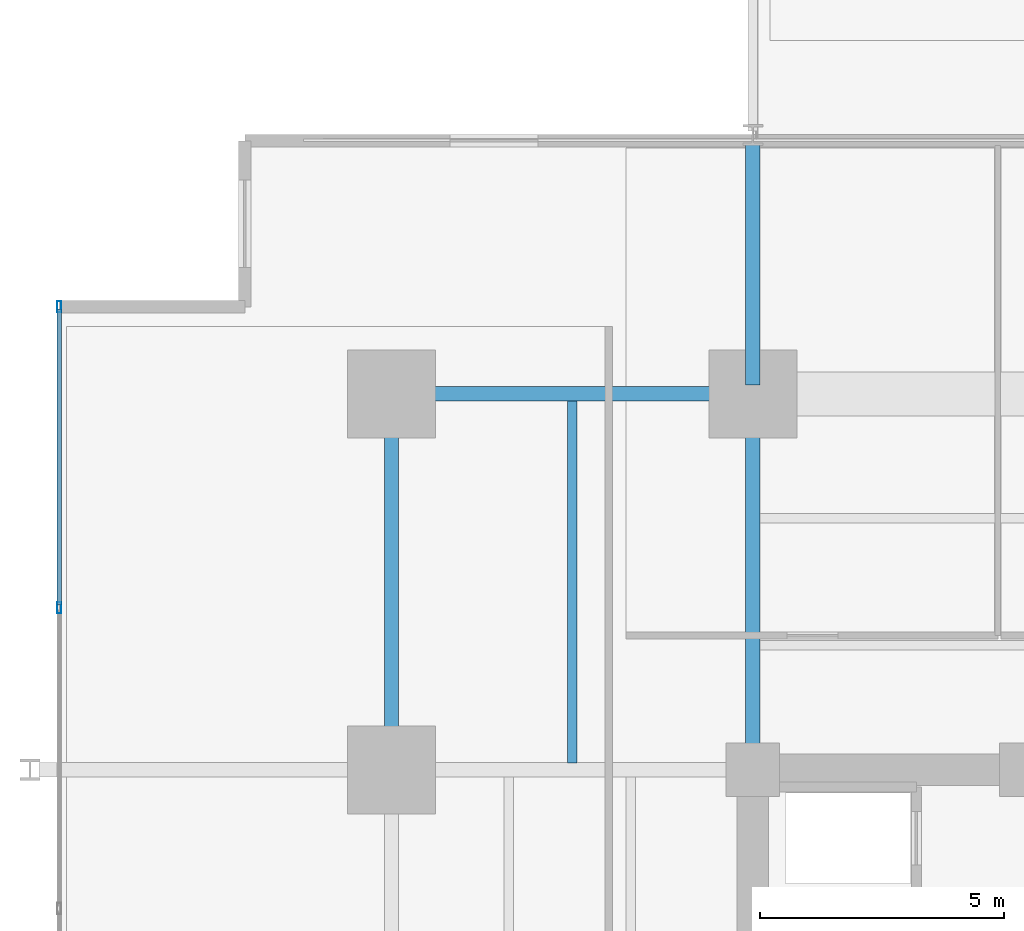
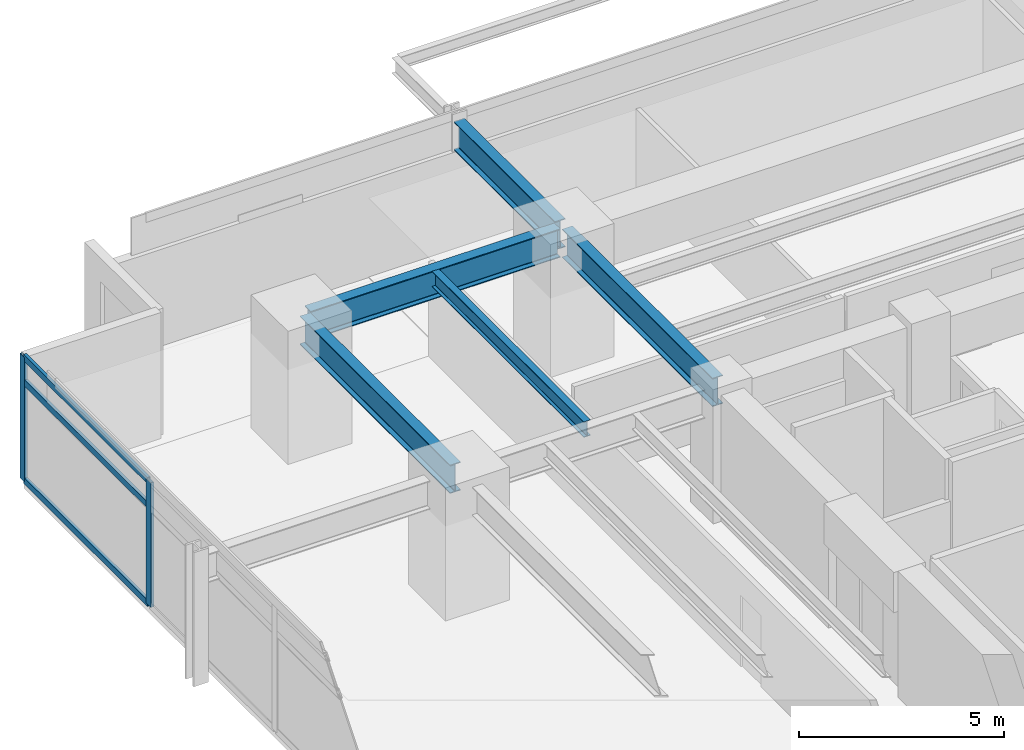
# One storey, part 11 of 20: 5 beams, 5 members, 1 element without a shape of its own.
"""IFC4 building model written with IfcOpenShell, lengths in metres."""

import ifcopenshell
import ifcopenshell.guid

model = None  # the IFC model being written
_history = None  # IfcOwnerHistory: only IFC2X3 demands one
_inside = {}  # id of a spatial element -> (the spatial element, [elements in it])
_under = {}  # id of a project, library or spatial element -> (it, [spatial elements below it])
_declared = {}  # id of a project -> (the project, [libraries it declares])
_typed = {}  # id of a type object -> (the type object, [elements of that type])
_made_of = {}  # id of a material, layer set ... -> (it, [elements and type objects made of it])


def new_model(schema):
    """Start an empty IFC model of exactly this schema.

    Asked for "IFC4X3", IfcOpenShell would pick the latest addendum, in which some entities
    have other attributes; the version numbers below select the first issue.
    IFC2X3 requires an IfcOwnerHistory on every rooted entity: one is made here for all.
    """
    global model, _history
    if schema == "IFC4X3":
        model = ifcopenshell.file(schema_version=(4, 3, 0, 0))
    else:
        model = ifcopenshell.file(schema=schema)
    _inside.clear()
    _under.clear()
    _declared.clear()
    _typed.clear()
    _made_of.clear()
    _history = None
    if model.schema == "IFC2X3":
        org = make("IfcOrganization", Name="unknown")
        user = make(
            "IfcPersonAndOrganization",
            ThePerson=make("IfcPerson", FamilyName="unknown"),
            TheOrganization=org,
        )
        app = make(
            "IfcApplication",
            ApplicationDeveloper=org,
            Version="unknown",
            ApplicationFullName="unknown",
            ApplicationIdentifier="unknown",
        )
        _history = make(
            "IfcOwnerHistory",
            OwningUser=user,
            OwningApplication=app,
            ChangeAction="ADDED",
            CreationDate=0,
        )
    return model


def make(cls, **values):
    """One entity of the class cls with the attributes given. An attribute that is None is left unset."""
    return model.create_entity(
        cls, **{name: value for name, value in values.items() if value is not None}
    )


def rooted(cls, **values):
    """An entity with a GlobalId (a new one), such as an element, a storey or a relation."""
    return make(cls, GlobalId=ifcopenshell.guid.new(), OwnerHistory=_history, **values)


def si_unit(unit_type, name, prefix=None):
    """IfcSIUnit, for example si_unit("LENGTHUNIT", "METRE", prefix="MILLI")."""
    return make("IfcSIUnit", UnitType=unit_type, Prefix=prefix, Name=name)


def assignment(units):
    """IfcUnitAssignment: the units of a project."""
    return None if units is None else make("IfcUnitAssignment", Units=units)


def point(xyz):
    """IfcCartesianPoint."""
    return None if xyz is None else make("IfcCartesianPoint", Coordinates=xyz)


def direction(xyz):
    """IfcDirection."""
    return None if xyz is None else make("IfcDirection", DirectionRatios=xyz)


def frame(location, z_axis=None, x_axis=None):
    """IfcAxis2Placement3D, a coordinate frame: its origin and axes. An axis left out is left unset."""
    return make(
        "IfcAxis2Placement3D",
        Location=point(location),
        Axis=direction(z_axis),
        RefDirection=direction(x_axis),
    )


def frame_2d(location, x_axis=None):
    """IfcAxis2Placement2D, a coordinate frame in the plane: its origin and x axis."""
    return make(
        "IfcAxis2Placement2D", Location=point(location), RefDirection=direction(x_axis)
    )


def origin():
    """The frame at (0, 0, 0) with its axes left unset."""
    return frame((0.0, 0.0, 0.0))


def origin_2d():
    """The frame at (0, 0) in the plane with its x axis left unset."""
    return frame_2d((0.0, 0.0))


def place(relative_to, where):
    """IfcLocalPlacement: puts the frame where relative to a parent placement (None: the world)."""
    return make(
        "IfcLocalPlacement", PlacementRelTo=relative_to, RelativePlacement=where
    )


def context(
    kind, dimensions, precision=None, world=None, true_north=None, identifier=None
):
    """IfcGeometricRepresentationContext, for example the 3D "Model" context."""
    return make(
        "IfcGeometricRepresentationContext",
        ContextIdentifier=identifier,
        ContextType=kind,
        CoordinateSpaceDimension=dimensions,
        Precision=precision,
        WorldCoordinateSystem=world,
        TrueNorth=true_north,
    )


def subcontext(parent, identifier, kind, view, scale=None):
    """IfcGeometricRepresentationSubContext, for example "Body" below "Model"."""
    return make(
        "IfcGeometricRepresentationSubContext",
        ContextIdentifier=identifier,
        ContextType=kind,
        ParentContext=parent,
        TargetScale=scale,
        TargetView=view,
    )


def project(units=None, contexts=None):
    """IfcProject with its units and contexts."""
    return rooted(
        "IfcProject",
        Name="project",
        RepresentationContexts=contexts,
        UnitsInContext=assignment(units),
    )


def spatial(cls, under=None, at=None, **own):
    """A site, building, storey or space (cls), placed at a placement, below another one or the project."""
    s = rooted(cls, ObjectPlacement=at, **own)
    if under is not None:
        _under.setdefault(under.id(), (under, []))[1].append(s)
    return s


def profile(cls, at=None, kind="AREA", **sizes):
    """A parametric profile (cls). Its sizes go by their IFC names, for example OverallWidth=200.0."""
    return make(cls, ProfileType=kind, Position=at, **sizes)


def hollow_rectangle(**sizes):
    """IfcRectangleHollowProfileDef."""
    return profile("IfcRectangleHollowProfileDef", **sizes)


def i_section(**sizes):
    """IfcIShapeProfileDef."""
    return profile("IfcIShapeProfileDef", **sizes)


def extrude(swept, where, along, depth):
    """IfcExtrudedAreaSolid: the profile swept, set in the frame where, extruded along a direction by depth."""
    return make(
        "IfcExtrudedAreaSolid",
        SweptArea=swept,
        Position=where,
        ExtrudedDirection=direction(along),
        Depth=depth,
    )


def shape(context_of_items, identifier, shape_type, items):
    """IfcShapeRepresentation: the items that make up one representation, for example the "Body"."""
    return make(
        "IfcShapeRepresentation",
        ContextOfItems=context_of_items,
        RepresentationIdentifier=identifier,
        RepresentationType=shape_type,
        Items=items,
    )


def material(Name=None, Category=None):
    """IfcMaterial."""
    return make("IfcMaterial", Name=Name, Category=Category)


def material_profile(
    of_material, cross_section, Name=None, Category=None, Priority=None
):
    """IfcMaterialProfile: a cross section and its material."""
    return make(
        "IfcMaterialProfile",
        Name=Name,
        Material=of_material,
        Profile=cross_section,
        Priority=Priority,
        Category=Category,
    )


def profile_set(profiles, Name=None, composite=None):
    """IfcMaterialProfileSet."""
    return make(
        "IfcMaterialProfileSet",
        Name=Name,
        MaterialProfiles=profiles,
        CompositeProfile=composite,
    )


def made_of(thing, what):
    """Note that an element or type object is made of a material, layer set ...; save() writes the relation."""
    if what is not None:
        _made_of.setdefault(what.id(), (what, []))[1].append(thing)
    return thing


def type_object(cls, material=None, **own):
    """A type object (cls), such as IfcWallType, which elements share."""
    return made_of(rooted(cls, **own), material)


def element(
    cls,
    number,
    at=None,
    inside=None,
    cuts=None,
    type_object=None,
    material=None,
    context=None,
    identifier="Body",
    shape_type=None,
    held_by="IfcProductDefinitionShape",
    body=None,
    shapes=None,
    **own,
):
    """One element of the class cls, such as IfcWall. Its Tag is "e" and its number.

    at: its placement. inside: the storey or other place that contains it. cuts: it is an
    opening in that element (IfcRelVoidsElement). A single representation is given by context,
    identifier, shape_type and body (its items); several are given by shapes. held_by: the class
    of the entity that holds the representations. save() writes the other relations.
    """
    e = rooted(cls, Tag="e%d" % number, ObjectPlacement=at, **own)
    if body is not None:
        shapes = [shape(context, identifier, shape_type, body)]
    if shapes is not None:
        e.Representation = make(held_by, Representations=shapes)
    if inside is not None:
        _inside.setdefault(inside.id(), (inside, []))[1].append(e)
    if cuts is not None:
        rooted(
            "IfcRelVoidsElement", RelatingBuildingElement=cuts, RelatedOpeningElement=e
        )
    if type_object is not None:
        _typed.setdefault(type_object.id(), (type_object, []))[1].append(e)
    return made_of(e, material)


def aggregate(whole, parts):
    """IfcRelAggregates: a whole, such as a stair, and the parts it consists of."""
    return rooted("IfcRelAggregates", RelatingObject=whole, RelatedObjects=parts)


def save(model, path):
    """Write the relations noted so far, then the file.

    IfcRelAggregates (storeys below a building ...), IfcRelContainedInSpatialStructure (elements
    in a storey), IfcRelDefinesByType, IfcRelAssociatesMaterial and IfcRelDeclares: one each for
    every whole, place, type object, material and project.
    """
    for whole, parts in _under.values():
        aggregate(whole, parts)
    for where, things in _inside.values():
        rooted(
            "IfcRelContainedInSpatialStructure",
            RelatedElements=things,
            RelatingStructure=where,
        )
    for kind, things in _typed.values():
        rooted("IfcRelDefinesByType", RelatedObjects=things, RelatingType=kind)
    for what, things in _made_of.values():
        rooted("IfcRelAssociatesMaterial", RelatedObjects=things, RelatingMaterial=what)
    for by, libraries in _declared.values():
        rooted("IfcRelDeclares", RelatingContext=by, RelatedDefinitions=libraries)
    model.write(path)


model = new_model("IFC4")

# Units and contexts
model_context = context("Model", 3, precision=1e-05, world=origin(), true_north=direction((0.0, 1.0)))
body_context = subcontext(model_context, "Body", "Model", "MODEL_VIEW")
ifc_project = project(units=[si_unit("LENGTHUNIT", "METRE"), si_unit("AREAUNIT", "SQUARE_METRE"), si_unit("VOLUMEUNIT", "CUBIC_METRE"), si_unit("PLANEANGLEUNIT", "RADIAN"), si_unit("MASSUNIT", "GRAM", prefix="KILO")], contexts=[model_context])

# Site, building, storey
site_placement = place(None, origin())
site = spatial("IfcSite", under=ifc_project, at=site_placement, CompositionType="ELEMENT")
building_placement = place(site_placement, origin())
building = spatial("IfcBuilding", under=site, at=building_placement, Name="Kovane Verandah Tower", CompositionType="ELEMENT")
storey_placement = place(building_placement, frame((0.0, 0.0, 39.60009765625)))
storey = spatial("IfcBuildingStorey", under=building, at=storey_placement, Name="L08", CompositionType="ELEMENT", Elevation=39.60009765625)

# Beams
ifc_material_1 = material(Name="Steel S355", Category="steel")
ifc_material_profile_1 = material_profile(ifc_material_1, i_section(OverallWidth=0.293701171875, OverallDepth=0.850830078125, WebThickness=0.01611328125, FlangeThickness=0.02685546875, FilletRadius=0.017822265625, at=origin_2d()), Name="UB838x292x226")
ifc_profile_set_1 = profile_set([ifc_material_profile_1], Name="Steel S355")
beam_type_1 = type_object("IfcBeamType", Name="BM-UB838x226", PredefinedType="BEAM", material=ifc_profile_set_1)
beam_1_placement = place(storey_placement, frame((21.780029296875, 44.199951171875, 3.33447265625), z_axis=(1.0, 0.0, 0.0), x_axis=(0.0, 1.0, 0.0)))
element("IfcBeam", 1, at=beam_1_placement, inside=storey, type_object=beam_type_1, Name="L08 Primary Tower Girder G-RN1", PredefinedType="BEAM", context=body_context, shape_type="SweptSolid", body=[
    extrude(i_section(OverallWidth=0.293701171875, OverallDepth=0.850830078125, WebThickness=0.01611328125, FlangeThickness=0.02685546875, FilletRadius=0.017822265625, at=origin_2d()), origin(), (0.0, 0.0, 1.0), 7.0400390625),
])
for number, where, z_axis, x_axis, name in (
    (2, (21.60009765625, 36.679931640625, 3.33447265625), (0.0, 1.0, 0.0), (-1.0, 0.0, 0.0), "L08 Primary Tower Girder G-RW3"),
    (3, (29.0, 36.679931640625, 3.33447265625), (0.0, 1.0, 0.0), (-1.0, 0.0, 0.0), "L08 Primary Tower Girder G-N1"),
):
    element("IfcBeam", number, at=place(storey_placement, frame(where, z_axis=z_axis, x_axis=x_axis)), inside=storey, type_object=beam_type_1, Name=name, PredefinedType="BEAM", context=body_context, shape_type="SweptSolid", body=[
        extrude(i_section(OverallWidth=0.293701171875, OverallDepth=0.850830078125, WebThickness=0.01611328125, FlangeThickness=0.02685546875, FilletRadius=0.017822265625, at=origin_2d()), origin(), (0.0, 0.0, 1.0), 7.340087890625),
    ])
beam_2_placement = place(storey_placement, frame((29.0, 44.3798828125, 3.33447265625), z_axis=(0.0, 1.0, 0.0), x_axis=(-1.0, 0.0, 0.0)))
element("IfcBeam", 4, at=beam_2_placement, inside=storey, type_object=beam_type_1, Name="L08 Primary Tower Girder G-VN1", PredefinedType="BEAM", context=body_context, shape_type="SweptSolid", body=[
    extrude(i_section(OverallWidth=0.293701171875, OverallDepth=0.850830078125, WebThickness=0.01611328125, FlangeThickness=0.02685546875, FilletRadius=0.017822265625, at=origin_2d()), origin(), (0.0, 0.0, 1.0), 4.940185546875),
])

# Curtain wall, members
ifc_material_2 = material(Name="Champagne Anodised Aluminium Frame with Low-E Clear Laminated Glass", Category="aluminium")
curtain_wall_type = type_object("IfcCurtainWallType", Name="CW-SYS-02-LOW", PredefinedType="NOTDEFINED", material=ifc_material_2)
curtain_wall_placement = place(storey_placement, origin())
curtain_wall = element("IfcCurtainWall", 5, at=curtain_wall_placement, inside=storey, type_object=curtain_wall_type, Name="L08 W Unitised Curtain Wall", PredefinedType="NOTDEFINED")
ifc_material_3 = material(Name="Champagne Anodised Aluminium 6063-T6", Category="aluminium")
ifc_material_profile_2 = material_profile(ifc_material_3, hollow_rectangle(XDim=0.0849609375, YDim=0.22998046875, WallThickness=0.00390625, at=origin_2d()), Name="AL85x230x4")
ifc_profile_set_2 = profile_set([ifc_material_profile_2], Name="Champagne Anodised Aluminium 6063-T6")
member_type_1 = type_object("IfcMemberType", Name="CW-MUL-85x230", PredefinedType="MULLION", material=ifc_profile_set_2)
member_1_placement = place(storey_placement, frame((14.796875, 45.982177734375, 0.02001953125), z_axis=(0.0, 0.0, 1.0), x_axis=(-1.0, 0.0, 0.0)))
member_1 = element("IfcMember", 6, at=member_1_placement, type_object=member_type_1, Name="L08 W Unitised Curtain Wall Mullion 1", PredefinedType="MULLION", context=body_context, shape_type="SweptSolid", body=[
    extrude(hollow_rectangle(XDim=0.0849609375, YDim=0.22998046875, WallThickness=0.00390625, at=origin_2d()), origin(), (0.0, 0.0, 1.0), 3.719970703125),
])
member_2_placement = place(storey_placement, frame((14.796875, 39.821533203125, 0.02001953125), z_axis=(0.0, 0.0, 1.0), x_axis=(-1.0, 0.0, 0.0)))
member_2 = element("IfcMember", 7, at=member_2_placement, type_object=member_type_1, Name="L08 W Unitised Curtain Wall Mullion 2", PredefinedType="MULLION", context=body_context, shape_type="SweptSolid", body=[
    extrude(hollow_rectangle(XDim=0.0849609375, YDim=0.22998046875, WallThickness=0.00390625, at=origin_2d()), origin(), (0.0, 0.0, 1.0), 3.719970703125),
])
ifc_material_profile_3 = material_profile(ifc_material_3, hollow_rectangle(XDim=0.0849609375, YDim=0.18994140625, WallThickness=0.00390625, at=origin_2d()), Name="AL85x190x4")
ifc_profile_set_3 = profile_set([ifc_material_profile_3], Name="Champagne Anodised Aluminium 6063-T6")
member_type_2 = type_object("IfcMemberType", Name="CW-TRN-85x190", PredefinedType="USERDEFINED", material=ifc_profile_set_3)
member_3_placement = place(storey_placement, frame((14.796875, 45.93212890625, 0.0498046875), z_axis=(0.0, -1.0, 0.0), x_axis=(1.0, 0.0, 0.0)))
member_3 = element("IfcMember", 8, at=member_3_placement, type_object=member_type_2, Name="L08 W Unitised Curtain Wall Transom TB Bay 1", ObjectType="TRANSOM", PredefinedType="USERDEFINED", context=body_context, shape_type="SweptSolid", body=[
    extrude(hollow_rectangle(XDim=0.0849609375, YDim=0.18994140625, WallThickness=0.00390625, at=origin_2d()), origin(), (0.0, 0.0, 1.0), 6.060546875),
])
member_4_placement = place(storey_placement, frame((14.796875, 45.93212890625, 2.97998046875), z_axis=(0.0, -1.0, 0.0), x_axis=(1.0, 0.0, 0.0)))
member_4 = element("IfcMember", 9, at=member_4_placement, type_object=member_type_2, Name="L08 W Unitised Curtain Wall Transom TM Bay 1", ObjectType="TRANSOM", PredefinedType="USERDEFINED", context=body_context, shape_type="SweptSolid", body=[
    extrude(hollow_rectangle(XDim=0.0849609375, YDim=0.18994140625, WallThickness=0.00390625, at=origin_2d()), origin(), (0.0, 0.0, 1.0), 6.060546875),
])
member_5_placement = place(storey_placement, frame((14.796875, 45.93212890625, 3.7099609375), z_axis=(0.0, -1.0, 0.0), x_axis=(1.0, 0.0, 0.0)))
member_5 = element("IfcMember", 10, at=member_5_placement, type_object=member_type_2, Name="L08 W Unitised Curtain Wall Transom TT Bay 1", ObjectType="TRANSOM", PredefinedType="USERDEFINED", context=body_context, shape_type="SweptSolid", body=[
    extrude(hollow_rectangle(XDim=0.0849609375, YDim=0.18994140625, WallThickness=0.00390625, at=origin_2d()), origin(), (0.0, 0.0, 1.0), 6.060546875),
])
aggregate(curtain_wall, [member_1, member_2, member_3, member_4, member_5])

# Beam
ifc_material_profile_4 = material_profile(ifc_material_1, i_section(OverallWidth=0.19287109375, OverallDepth=0.46728515625, WebThickness=0.011474609375, FlangeThickness=0.01953125, FilletRadius=0.01025390625, at=origin_2d()), Name="UB457x191x98")
ifc_profile_set_4 = profile_set([ifc_material_profile_4], Name="Steel S355")
beam_type_2 = type_object("IfcBeamType", Name="JST-UB457x98", PredefinedType="JOIST", material=ifc_profile_set_4)
beam_3_placement = place(storey_placement, frame((25.300048828125, 36.64501953125, 3.5263671875), z_axis=(0.0, 1.0, 0.0), x_axis=(-1.0, 0.0, 0.0)))
element("IfcBeam", 11, at=beam_3_placement, inside=storey, type_object=beam_type_2, Name="L08 Secondary Composite Joist J-NW1", PredefinedType="JOIST", context=body_context, shape_type="SweptSolid", body=[
    extrude(i_section(OverallWidth=0.19287109375, OverallDepth=0.46728515625, WebThickness=0.011474609375, FlangeThickness=0.01953125, FilletRadius=0.01025390625, at=origin_2d()), origin(), (0.0, 0.0, 1.0), 7.41015625),
])

save(model, "model.ifc")
